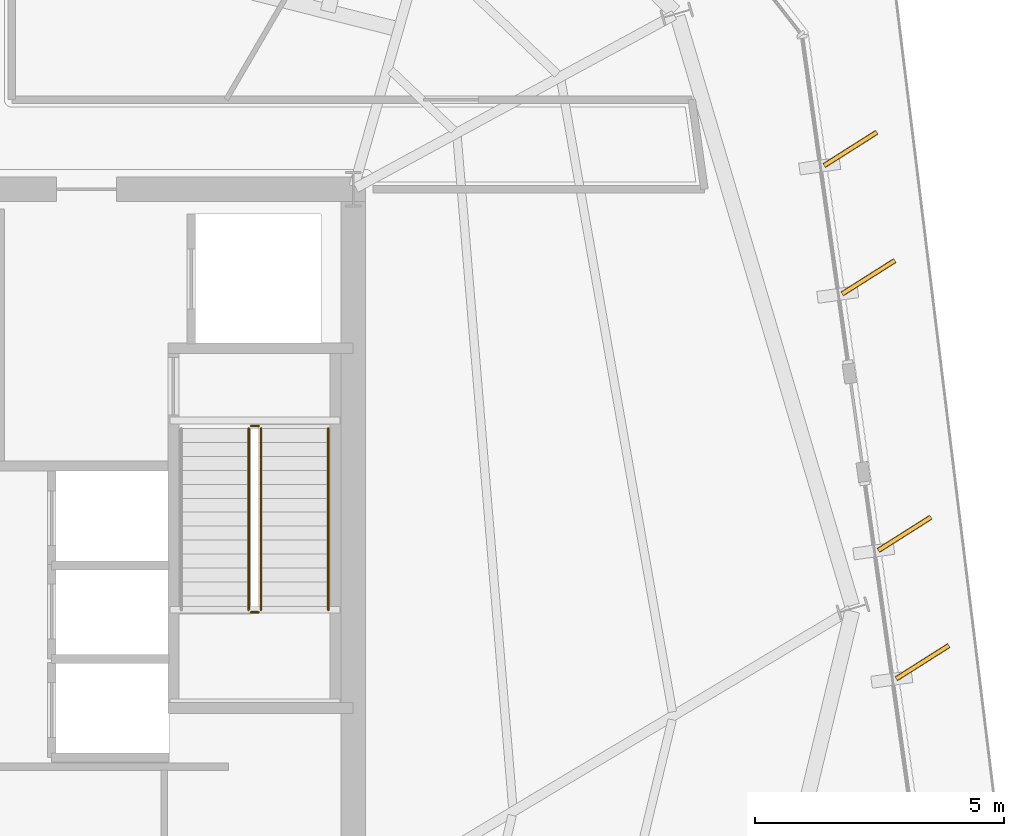
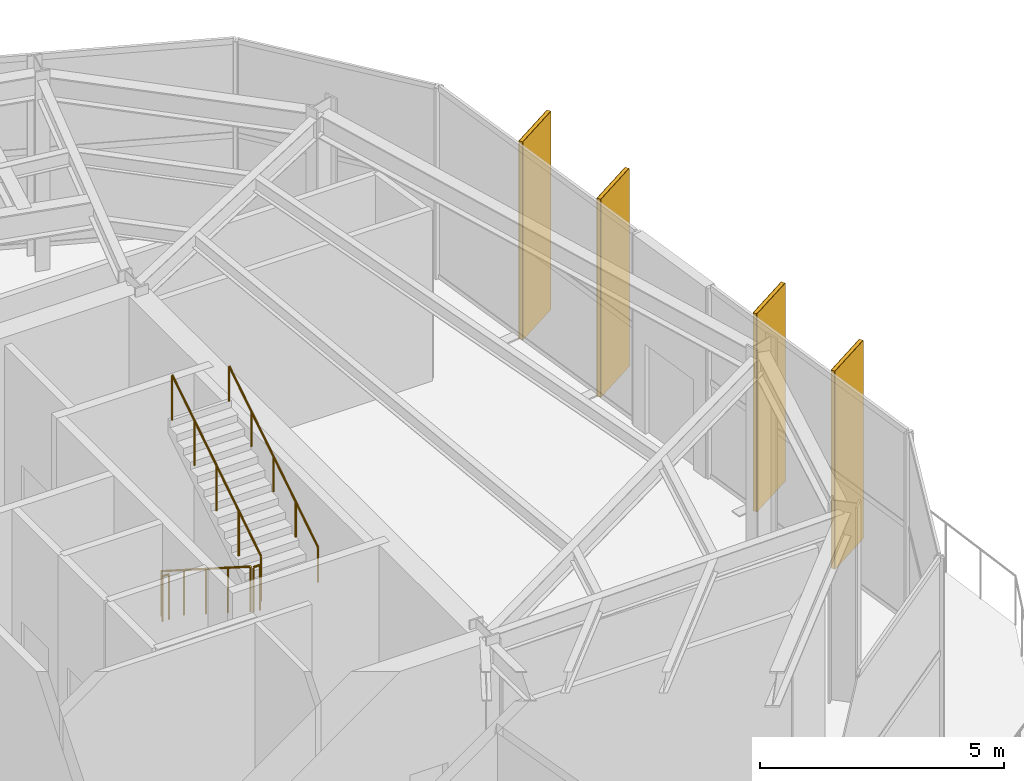
# One storey, part 14 of 14: 5 railings, 4 coverings, 4 shading devices.
"""IFC4 building model written with IfcOpenShell, lengths in metres."""

from ifc_helpers import new_model, si_unit, direction, frame, origin, origin_2d, place, context, subcontext, project, spatial, rectangle, circle, extrude, material, layer, layer_set, type_object, element, save


model = new_model("IFC4")

# Units and contexts
model_context = context("Model", 3, precision=1e-05, world=origin(), true_north=direction((0.0, 1.0)))
body_context = subcontext(model_context, "Body", "Model", "MODEL_VIEW")
ifc_project = project(units=[si_unit("LENGTHUNIT", "METRE"), si_unit("AREAUNIT", "SQUARE_METRE"), si_unit("VOLUMEUNIT", "CUBIC_METRE"), si_unit("PLANEANGLEUNIT", "RADIAN"), si_unit("MASSUNIT", "GRAM", prefix="KILO")], contexts=[model_context])

# Site, building, storey
site_placement = place(None, origin())
site = spatial("IfcSite", under=ifc_project, at=site_placement, CompositionType="ELEMENT")
building_placement = place(site_placement, origin())
building = spatial("IfcBuilding", under=site, at=building_placement, Name="Kranzbogen Civic Tower", CompositionType="ELEMENT")
storey_placement = place(building_placement, frame((0.0, 0.0, 175.800048828125)))
storey = spatial("IfcBuildingStorey", under=building, at=storey_placement, Name="L42", CompositionType="ELEMENT", Elevation=175.800048828125)

# Coverings
ifc_material_1 = material(Name="Pale Anodised Aluminium", Category="aluminium")
ifc_layer = layer(ifc_material_1, 0.02490234375, Name="Pale Anodised Aluminium")
ifc_layer_set = layer_set([ifc_layer], Name="Pale Anodised Aluminium")
covering_type = type_object("IfcCoveringType", Name="Anodised Aluminium Vertical Fin Cladding 25 mm", PredefinedType="CLADDING", material=ifc_layer_set)
for number, where, z_axis, x_axis, name in (
    (1, (44.22509765625, 22.7109375, -0.14013671875), (0.0, 0.0, 1.0), (0.844991264934, 0.534780106384, 0.0), "L42 vertical fin pale-metal cladding F6-1"),
    (2, (43.864013671875, 25.285888671875, -0.14013671875), (0.0, 0.0, 1.0), (0.844991264934, 0.534780106384, 0.0), "L42 vertical fin pale-metal cladding F6-2"),
    (3, (43.139892578125, 30.43505859375, -0.14013671875), (0.0, 0.0, 1.0), (0.844991264934, 0.534780106384, 0.0), "L42 vertical fin pale-metal cladding F6-4"),
    (4, (42.778076171875, 33.010009765625, -0.14013671875), (0.0, 0.0, 1.0), (0.844991264934, 0.534780106384, 0.0), "L42 vertical fin pale-metal cladding F6-5"),
):
    element("IfcCovering", number, at=place(storey_placement, frame(where, z_axis=z_axis, x_axis=x_axis)), inside=storey, type_object=covering_type, Name=name, PredefinedType="CLADDING", context=body_context, shape_type="SweptSolid", body=[
        extrude(rectangle(XDim=1.25, YDim=0.10009765625, at=origin_2d()), origin(), (0.0, 0.0, 1.0), 4.9599609375),
    ])

# Shading devices
ifc_material_2 = material(Name="Anodised Bronze Aluminium", Category="aluminium")
shading_device_type = type_object("IfcShadingDeviceType", Name="Anodised Bronze Vertical Facade Fin 1250x80", PredefinedType="USERDEFINED", material=ifc_material_2)
for number, where, z_axis, x_axis, name in (
    (5, (44.22509765625, 22.7109375, -0.14013671875), (0.0, 0.0, 1.0), (0.844991264934, 0.534780106384, 0.0), "L42 vertical exterior shading fin F6-1"),
    (6, (43.864013671875, 25.285888671875, -0.14013671875), (0.0, 0.0, 1.0), (0.844991264934, 0.534780106384, 0.0), "L42 vertical exterior shading fin F6-2"),
    (7, (43.139892578125, 30.43505859375, -0.14013671875), (0.0, 0.0, 1.0), (0.844991264934, 0.534780106384, 0.0), "L42 vertical exterior shading fin F6-4"),
    (8, (42.778076171875, 33.010009765625, -0.14013671875), (0.0, 0.0, 1.0), (0.844991264934, 0.534780106384, 0.0), "L42 vertical exterior shading fin F6-5"),
):
    element("IfcShadingDevice", number, at=place(storey_placement, frame(where, z_axis=z_axis, x_axis=x_axis)), inside=storey, type_object=shading_device_type, Name=name, ObjectType="FIN", PredefinedType="USERDEFINED", context=body_context, shape_type="SweptSolid", body=[
        extrude(rectangle(XDim=1.25, YDim=0.080078125, at=origin_2d()), origin(), (0.0, 0.0, 1.0), 4.9599609375),
    ])

# Railings
ifc_material_3 = material(Name="Steel S355", Category="steel")
railing_type_1 = type_object("IfcRailingType", Name="Internal Stair and Void Steel Guardrail 1150", PredefinedType="GUARDRAIL", material=ifc_material_3)
railing_1_placement = place(storey_placement, frame((30.699951171875, 27.39990234375, 0.178466796875)))
element("IfcRailing", 9, at=railing_1_placement, inside=storey, type_object=railing_type_1, Name="L42 ST-T2 stair guard 1", PredefinedType="GUARDRAIL", context=body_context, shape_type="SweptSolid", body=[
    extrude(circle(Radius=0.02392578125, at=origin_2d()), frame((0.0, 0.0, 1.1259765625), z_axis=(0.0, -0.843111507901, 0.53773877045), x_axis=(1.0, 0.0, 0.0)), (0.0, 0.0, 1.0), 4.317138671875),
    extrude(circle(Radius=0.02099609375, at=origin_2d()), origin(), (0.0, 0.0, 1.0), 1.101806640625),
    extrude(circle(Radius=0.02099609375, at=origin_2d()), frame((0.0, -0.909912109375, 0.580322265625)), (0.0, 0.0, 1.0), 1.101806640625),
    extrude(circle(Radius=0.02099609375, at=origin_2d()), frame((0.0, -1.81982421875, 1.16064453125)), (0.0, 0.0, 1.0), 1.101806640625),
    extrude(circle(Radius=0.02099609375, at=origin_2d()), frame((0.0, -2.72998046875, 1.7412109375)), (0.0, 0.0, 1.0), 1.101806640625),
    extrude(circle(Radius=0.02099609375, at=origin_2d()), frame((0.0, -3.639892578125, 2.321533203125)), (0.0, 0.0, 1.0), 1.101806640625),
])
railing_2_placement = place(storey_placement, frame((30.75, 23.7099609375, 2.5)))
element("IfcRailing", 10, at=railing_2_placement, inside=storey, type_object=railing_type_1, Name="L42 ST-T2 stair guard 2", PredefinedType="GUARDRAIL", context=body_context, shape_type="SweptSolid", body=[
    extrude(circle(Radius=0.02392578125, at=origin_2d()), frame((0.0, 0.0, 1.1259765625), z_axis=(1.0, 0.0, 0.0), x_axis=(0.0, 1.0, 0.0)), (0.0, 0.0, 1.0), 0.14990234375),
    extrude(circle(Radius=0.02099609375, at=origin_2d()), origin(), (0.0, 0.0, 1.0), 1.101806640625),
    extrude(circle(Radius=0.02099609375, at=origin_2d()), frame((0.14990234375, 0.0, 0.0)), (0.0, 0.0, 1.0), 1.101806640625),
])
railing_3_placement = place(storey_placement, frame((30.949951171875, 23.760009765625, 2.678466796875)))
element("IfcRailing", 11, at=railing_3_placement, inside=storey, type_object=railing_type_1, Name="L42 ST-T2 stair guard 3", PredefinedType="GUARDRAIL", context=body_context, shape_type="SweptSolid", body=[
    extrude(circle(Radius=0.02392578125, at=origin_2d()), frame((0.0, 0.0, 1.1259765625), z_axis=(0.0, 0.843111507901, 0.53773877045), x_axis=(-1.0, 0.0, 0.0)), (0.0, 0.0, 1.0), 4.317138671875),
    extrude(circle(Radius=0.02099609375, at=origin_2d()), origin(), (0.0, 0.0, 1.0), 1.101806640625),
    extrude(circle(Radius=0.02099609375, at=origin_2d()), frame((0.0, 0.909912109375, 0.580322265625)), (0.0, 0.0, 1.0), 1.101806640625),
    extrude(circle(Radius=0.02099609375, at=origin_2d()), frame((0.0, 1.81982421875, 1.16064453125)), (0.0, 0.0, 1.0), 1.101806640625),
    extrude(circle(Radius=0.02099609375, at=origin_2d()), frame((0.0, 2.72998046875, 1.7412109375)), (0.0, 0.0, 1.0), 1.101806640625),
    extrude(circle(Radius=0.02099609375, at=origin_2d()), frame((0.0, 3.639892578125, 2.321533203125)), (0.0, 0.0, 1.0), 1.101806640625),
])
railing_4_placement = place(storey_placement, frame((30.75, 27.449951171875, 0.0)))
element("IfcRailing", 12, at=railing_4_placement, inside=storey, type_object=railing_type_1, Name="L42 ST-T2 stair guard 4", PredefinedType="GUARDRAIL", context=body_context, shape_type="SweptSolid", body=[
    extrude(circle(Radius=0.02392578125, at=origin_2d()), frame((0.0, 0.0, 1.1259765625), z_axis=(1.0, 0.0, 0.0), x_axis=(0.0, 1.0, 0.0)), (0.0, 0.0, 1.0), 0.14990234375),
    extrude(circle(Radius=0.02099609375, at=origin_2d()), origin(), (0.0, 0.0, 1.0), 1.101806640625),
    extrude(circle(Radius=0.02099609375, at=origin_2d()), frame((0.14990234375, 0.0, 0.0)), (0.0, 0.0, 1.0), 1.101806640625),
])
railing_type_2 = type_object("IfcRailingType", Name="Tubular Stainless Stair Wall Handrail 900", PredefinedType="HANDRAIL", material=ifc_material_1)
railing_5_placement = place(storey_placement, frame((32.300048828125, 23.760009765625, 2.678466796875)))
element("IfcRailing", 13, at=railing_5_placement, inside=storey, type_object=railing_type_2, Name="L42 ST-T2 stair handrail 2", PredefinedType="HANDRAIL", context=body_context, shape_type="SweptSolid", body=[
    extrude(circle(Radius=0.02392578125, at=origin_2d()), frame((0.0, 0.0, 0.8759765625), z_axis=(0.0, 0.843111507901, 0.53773877045), x_axis=(-1.0, 0.0, 0.0)), (0.0, 0.0, 1.0), 4.317138671875),
    extrude(circle(Radius=0.02099609375, at=origin_2d()), origin(), (0.0, 0.0, 1.0), 0.851806640625),
    extrude(circle(Radius=0.02099609375, at=origin_2d()), frame((0.0, 0.909912109375, 0.580322265625)), (0.0, 0.0, 1.0), 0.851806640625),
    extrude(circle(Radius=0.02099609375, at=origin_2d()), frame((0.0, 1.81982421875, 1.16064453125)), (0.0, 0.0, 1.0), 0.851806640625),
    extrude(circle(Radius=0.02099609375, at=origin_2d()), frame((0.0, 2.72998046875, 1.7412109375)), (0.0, 0.0, 1.0), 0.851806640625),
    extrude(circle(Radius=0.02099609375, at=origin_2d()), frame((0.0, 3.639892578125, 2.321533203125)), (0.0, 0.0, 1.0), 0.851806640625),
])

save(model, "model.ifc")
